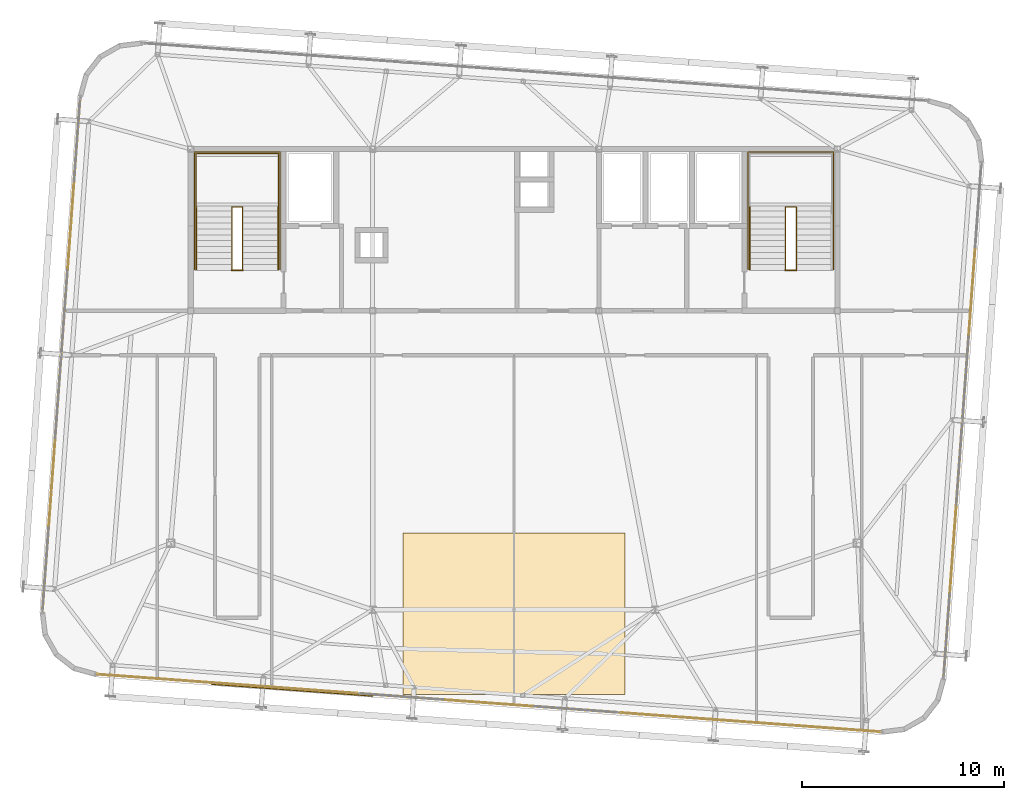
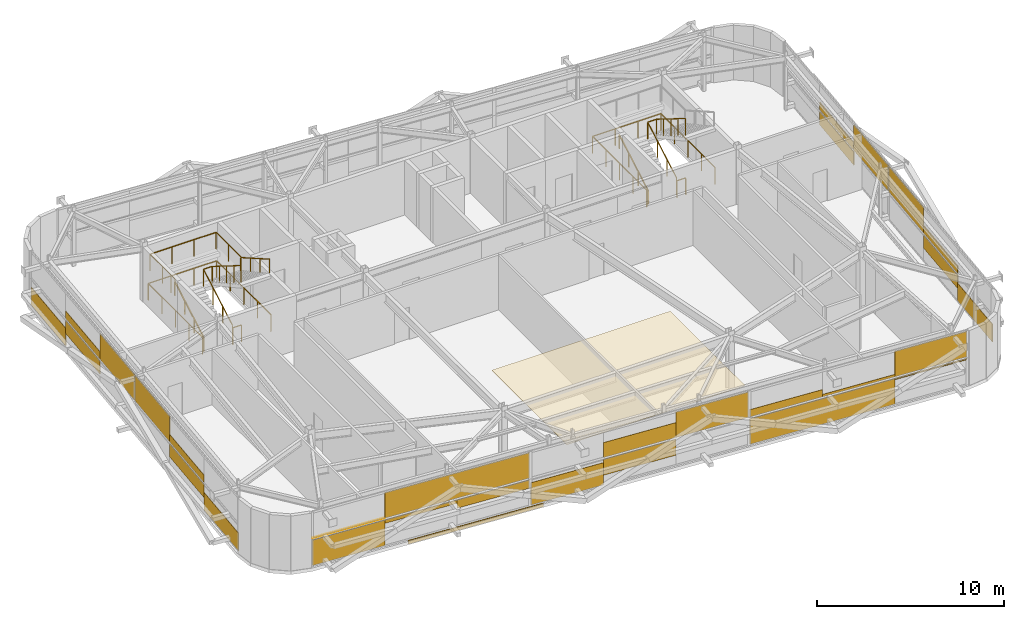
# One storey, part 34 of 35: 31 coverings, 10 railings.
"""IFC4 building model written with IfcOpenShell, lengths in metres."""

import ifcopenshell
import ifcopenshell.guid

model = None  # the IFC model being written
_history = None  # IfcOwnerHistory: only IFC2X3 demands one
_inside = {}  # id of a spatial element -> (the spatial element, [elements in it])
_under = {}  # id of a project, library or spatial element -> (it, [spatial elements below it])
_declared = {}  # id of a project -> (the project, [libraries it declares])
_typed = {}  # id of a type object -> (the type object, [elements of that type])
_made_of = {}  # id of a material, layer set ... -> (it, [elements and type objects made of it])


def new_model(schema):
    """Start an empty IFC model of exactly this schema.

    Asked for "IFC4X3", IfcOpenShell would pick the latest addendum, in which some entities
    have other attributes; the version numbers below select the first issue.
    IFC2X3 requires an IfcOwnerHistory on every rooted entity: one is made here for all.
    """
    global model, _history
    if schema == "IFC4X3":
        model = ifcopenshell.file(schema_version=(4, 3, 0, 0))
    else:
        model = ifcopenshell.file(schema=schema)
    _inside.clear()
    _under.clear()
    _declared.clear()
    _typed.clear()
    _made_of.clear()
    _history = None
    if model.schema == "IFC2X3":
        org = make("IfcOrganization", Name="unknown")
        user = make(
            "IfcPersonAndOrganization",
            ThePerson=make("IfcPerson", FamilyName="unknown"),
            TheOrganization=org,
        )
        app = make(
            "IfcApplication",
            ApplicationDeveloper=org,
            Version="unknown",
            ApplicationFullName="unknown",
            ApplicationIdentifier="unknown",
        )
        _history = make(
            "IfcOwnerHistory",
            OwningUser=user,
            OwningApplication=app,
            ChangeAction="ADDED",
            CreationDate=0,
        )
    return model


def make(cls, **values):
    """One entity of the class cls with the attributes given. An attribute that is None is left unset."""
    return model.create_entity(
        cls, **{name: value for name, value in values.items() if value is not None}
    )


def rooted(cls, **values):
    """An entity with a GlobalId (a new one), such as an element, a storey or a relation."""
    return make(cls, GlobalId=ifcopenshell.guid.new(), OwnerHistory=_history, **values)


def si_unit(unit_type, name, prefix=None):
    """IfcSIUnit, for example si_unit("LENGTHUNIT", "METRE", prefix="MILLI")."""
    return make("IfcSIUnit", UnitType=unit_type, Prefix=prefix, Name=name)


def assignment(units):
    """IfcUnitAssignment: the units of a project."""
    return None if units is None else make("IfcUnitAssignment", Units=units)


def point(xyz):
    """IfcCartesianPoint."""
    return None if xyz is None else make("IfcCartesianPoint", Coordinates=xyz)


def direction(xyz):
    """IfcDirection."""
    return None if xyz is None else make("IfcDirection", DirectionRatios=xyz)


def frame(location, z_axis=None, x_axis=None):
    """IfcAxis2Placement3D, a coordinate frame: its origin and axes. An axis left out is left unset."""
    return make(
        "IfcAxis2Placement3D",
        Location=point(location),
        Axis=direction(z_axis),
        RefDirection=direction(x_axis),
    )


def frame_2d(location, x_axis=None):
    """IfcAxis2Placement2D, a coordinate frame in the plane: its origin and x axis."""
    return make(
        "IfcAxis2Placement2D", Location=point(location), RefDirection=direction(x_axis)
    )


def origin():
    """The frame at (0, 0, 0) with its axes left unset."""
    return frame((0.0, 0.0, 0.0))


def origin_2d():
    """The frame at (0, 0) in the plane with its x axis left unset."""
    return frame_2d((0.0, 0.0))


def place(relative_to, where):
    """IfcLocalPlacement: puts the frame where relative to a parent placement (None: the world)."""
    return make(
        "IfcLocalPlacement", PlacementRelTo=relative_to, RelativePlacement=where
    )


def context(
    kind, dimensions, precision=None, world=None, true_north=None, identifier=None
):
    """IfcGeometricRepresentationContext, for example the 3D "Model" context."""
    return make(
        "IfcGeometricRepresentationContext",
        ContextIdentifier=identifier,
        ContextType=kind,
        CoordinateSpaceDimension=dimensions,
        Precision=precision,
        WorldCoordinateSystem=world,
        TrueNorth=true_north,
    )


def subcontext(parent, identifier, kind, view, scale=None):
    """IfcGeometricRepresentationSubContext, for example "Body" below "Model"."""
    return make(
        "IfcGeometricRepresentationSubContext",
        ContextIdentifier=identifier,
        ContextType=kind,
        ParentContext=parent,
        TargetScale=scale,
        TargetView=view,
    )


def project(units=None, contexts=None):
    """IfcProject with its units and contexts."""
    return rooted(
        "IfcProject",
        Name="project",
        RepresentationContexts=contexts,
        UnitsInContext=assignment(units),
    )


def spatial(cls, under=None, at=None, **own):
    """A site, building, storey or space (cls), placed at a placement, below another one or the project."""
    s = rooted(cls, ObjectPlacement=at, **own)
    if under is not None:
        _under.setdefault(under.id(), (under, []))[1].append(s)
    return s


def profile(cls, at=None, kind="AREA", **sizes):
    """A parametric profile (cls). Its sizes go by their IFC names, for example OverallWidth=200.0."""
    return make(cls, ProfileType=kind, Position=at, **sizes)


def rectangle(**sizes):
    """IfcRectangleProfileDef."""
    return profile("IfcRectangleProfileDef", **sizes)


def extrude(swept, where, along, depth):
    """IfcExtrudedAreaSolid: the profile swept, set in the frame where, extruded along a direction by depth."""
    return make(
        "IfcExtrudedAreaSolid",
        SweptArea=swept,
        Position=where,
        ExtrudedDirection=direction(along),
        Depth=depth,
    )


def shape(context_of_items, identifier, shape_type, items):
    """IfcShapeRepresentation: the items that make up one representation, for example the "Body"."""
    return make(
        "IfcShapeRepresentation",
        ContextOfItems=context_of_items,
        RepresentationIdentifier=identifier,
        RepresentationType=shape_type,
        Items=items,
    )


def source(mapping_origin, context_of_items, identifier, shape_type, items):
    """IfcRepresentationMap: a shape defined once, which mapped items show again and again."""
    return make(
        "IfcRepresentationMap",
        MappingOrigin=mapping_origin,
        MappedRepresentation=shape(context_of_items, identifier, shape_type, items),
    )


def transform(
    local_origin,
    x_axis=None,
    y_axis=None,
    z_axis=None,
    scale=None,
    scale2=None,
    scale3=None,
    uniform=True,
):
    """IfcCartesianTransformationOperator3D, or its non-uniform kind. x_axis, y_axis, z_axis: its Axis1, 2, 3."""
    if uniform:
        return make(
            "IfcCartesianTransformationOperator3D",
            Axis1=direction(x_axis),
            Axis2=direction(y_axis),
            LocalOrigin=point(local_origin),
            Scale=scale,
            Axis3=direction(z_axis),
        )
    return make(
        "IfcCartesianTransformationOperator3DnonUniform",
        Axis1=direction(x_axis),
        Axis2=direction(y_axis),
        LocalOrigin=point(local_origin),
        Scale=scale,
        Axis3=direction(z_axis),
        Scale2=scale2,
        Scale3=scale3,
    )


def mapped(mapping_source, mapping_target):
    """IfcMappedItem: shows the shape of a source again, moved by a transform."""
    return make(
        "IfcMappedItem", MappingSource=mapping_source, MappingTarget=mapping_target
    )


def material(Name=None, Category=None):
    """IfcMaterial."""
    return make("IfcMaterial", Name=Name, Category=Category)


def layer(
    of_material, thickness, ventilated=None, Name=None, Category=None, Priority=None
):
    """IfcMaterialLayer: one layer of a wall or slab, of a material (None: an air gap)."""
    return make(
        "IfcMaterialLayer",
        Material=of_material,
        LayerThickness=thickness,
        IsVentilated=ventilated,
        Name=Name,
        Category=Category,
        Priority=Priority,
    )


def layer_set(layers, Name=None):
    """IfcMaterialLayerSet."""
    return make("IfcMaterialLayerSet", MaterialLayers=layers, LayerSetName=Name)


def made_of(thing, what):
    """Note that an element or type object is made of a material, layer set ...; save() writes the relation."""
    if what is not None:
        _made_of.setdefault(what.id(), (what, []))[1].append(thing)
    return thing


def type_object(cls, material=None, **own):
    """A type object (cls), such as IfcWallType, which elements share."""
    return made_of(rooted(cls, **own), material)


def element(
    cls,
    number,
    at=None,
    inside=None,
    cuts=None,
    type_object=None,
    material=None,
    context=None,
    identifier="Body",
    shape_type=None,
    held_by="IfcProductDefinitionShape",
    body=None,
    shapes=None,
    **own,
):
    """One element of the class cls, such as IfcWall. Its Tag is "e" and its number.

    at: its placement. inside: the storey or other place that contains it. cuts: it is an
    opening in that element (IfcRelVoidsElement). A single representation is given by context,
    identifier, shape_type and body (its items); several are given by shapes. held_by: the class
    of the entity that holds the representations. save() writes the other relations.
    """
    e = rooted(cls, Tag="e%d" % number, ObjectPlacement=at, **own)
    if body is not None:
        shapes = [shape(context, identifier, shape_type, body)]
    if shapes is not None:
        e.Representation = make(held_by, Representations=shapes)
    if inside is not None:
        _inside.setdefault(inside.id(), (inside, []))[1].append(e)
    if cuts is not None:
        rooted(
            "IfcRelVoidsElement", RelatingBuildingElement=cuts, RelatedOpeningElement=e
        )
    if type_object is not None:
        _typed.setdefault(type_object.id(), (type_object, []))[1].append(e)
    return made_of(e, material)


def aggregate(whole, parts):
    """IfcRelAggregates: a whole, such as a stair, and the parts it consists of."""
    return rooted("IfcRelAggregates", RelatingObject=whole, RelatedObjects=parts)


def save(model, path):
    """Write the relations noted so far, then the file.

    IfcRelAggregates (storeys below a building ...), IfcRelContainedInSpatialStructure (elements
    in a storey), IfcRelDefinesByType, IfcRelAssociatesMaterial and IfcRelDeclares: one each for
    every whole, place, type object, material and project.
    """
    for whole, parts in _under.values():
        aggregate(whole, parts)
    for where, things in _inside.values():
        rooted(
            "IfcRelContainedInSpatialStructure",
            RelatedElements=things,
            RelatingStructure=where,
        )
    for kind, things in _typed.values():
        rooted("IfcRelDefinesByType", RelatedObjects=things, RelatingType=kind)
    for what, things in _made_of.values():
        rooted("IfcRelAssociatesMaterial", RelatedObjects=things, RelatingMaterial=what)
    for by, libraries in _declared.values():
        rooted("IfcRelDeclares", RelatingContext=by, RelatedDefinitions=libraries)
    model.write(path)


model = new_model("IFC4")

# Units and contexts
model_context = context("Model", 3, precision=1e-05, world=origin(), true_north=direction((0.0, 1.0)))
body_context = subcontext(model_context, "Body", "Model", "MODEL_VIEW")
ifc_project = project(units=[si_unit("LENGTHUNIT", "METRE"), si_unit("AREAUNIT", "SQUARE_METRE"), si_unit("VOLUMEUNIT", "CUBIC_METRE"), si_unit("PLANEANGLEUNIT", "RADIAN"), si_unit("MASSUNIT", "GRAM", prefix="KILO")], contexts=[model_context])

# Site, building, storey
site_placement = place(None, origin())
site = spatial("IfcSite", under=ifc_project, at=site_placement, CompositionType="ELEMENT")
building_placement = place(site_placement, origin())
building = spatial("IfcBuilding", under=site, at=building_placement, Name="Taldren Reach Tower", CompositionType="ELEMENT")
storey_placement = place(building_placement, frame((0.0, 0.0, 249.199951171875)))
storey = spatial("IfcBuildingStorey", under=building, at=storey_placement, Name="L76", CompositionType="ELEMENT", Elevation=249.199951171875)

# Railings
ifc_material_1 = material(Name="Steel Gr 350 (C350L0)", Category="steel")
ifc_layer_1 = layer(ifc_material_1, 0.050048828125)
ifc_layer_set_1 = layer_set([ifc_layer_1], Name="Steel Gr 350 (C350L0)")
railing_type_1 = type_object("IfcRailingType", Name="RL-STAIR-GR", PredefinedType="GUARDRAIL", material=ifc_layer_set_1)
railing_1_placement = place(storey_placement, frame((19.260009765625, 29.135009765625, 1.925048828125)))
element("IfcRailing", 1, at=railing_1_placement, inside=storey, type_object=railing_type_1, Name="Stair half-landing perimeter guard ST1-L76", PredefinedType="GUARDRAIL", context=body_context, shape_type="SweptSolid", body=[
    extrude(rectangle(XDim=0.047852, YDim=0.047852, at=origin_2d()), frame((0.0, 0.0, 1.09619140625), z_axis=(0.0, 1.0, 0.0), x_axis=(-1.0, 0.0, 0.0)), (0.0, 0.0, 1.0), 2.64501953125),
    extrude(rectangle(XDim=0.047852, YDim=0.047852, at=origin_2d()), frame((0.0, 2.64501953125, 1.09619140625), z_axis=(1.0, 0.0, 0.0), x_axis=(0.0, 1.0, 0.0)), (0.0, 0.0, 1.0), 4.080078125),
    extrude(rectangle(XDim=0.047852, YDim=0.047852, at=origin_2d()), frame((4.080078125, 2.64501953125, 1.09619140625), z_axis=(0.0, -1.0, 0.0), x_axis=(1.0, 0.0, 0.0)), (0.0, 0.0, 1.0), 2.64501953125),
    extrude(rectangle(XDim=0.041992, YDim=0.041992, at=origin_2d()), origin(), (0.0, 0.0, 1.0), 1.072021484375),
    extrude(rectangle(XDim=0.041992, YDim=0.041992, at=origin_2d()), frame((0.0, 1.322509765625, 0.0)), (0.0, 0.0, 1.0), 1.072021484375),
    extrude(rectangle(XDim=0.041992, YDim=0.041992, at=origin_2d()), frame((0.0, 2.64501953125, 0.0)), (0.0, 0.0, 1.0), 1.072021484375),
    extrude(rectangle(XDim=0.041992, YDim=0.041992, at=origin_2d()), frame((1.360107421875, 2.64501953125, 0.0)), (0.0, 0.0, 1.0), 1.072021484375),
    extrude(rectangle(XDim=0.041992, YDim=0.041992, at=origin_2d()), frame((2.719970703125, 2.64501953125, 0.0)), (0.0, 0.0, 1.0), 1.072021484375),
    extrude(rectangle(XDim=0.041992, YDim=0.041992, at=origin_2d()), frame((4.080078125, 2.64501953125, 0.0)), (0.0, 0.0, 1.0), 1.072021484375),
    extrude(rectangle(XDim=0.041992, YDim=0.041992, at=origin_2d()), frame((4.080078125, 1.322509765625, 0.0)), (0.0, 0.0, 1.0), 1.072021484375),
    extrude(rectangle(XDim=0.041992, YDim=0.041992, at=origin_2d()), frame((4.080078125, 0.0, 0.0)), (0.0, 0.0, 1.0), 1.072021484375),
])
railing_2_placement = place(storey_placement, frame((21.030029296875, 26.050048828125, 0.160400390625)))
element("IfcRailing", 2, at=railing_2_placement, inside=storey, type_object=railing_type_1, Name="Stairwell inner guard ST1-L76", PredefinedType="GUARDRAIL", context=body_context, shape_type="SweptSolid", body=[
    extrude(rectangle(XDim=0.047852, YDim=0.047852, at=origin_2d()), frame((0.0, 0.0, 1.09619140625), z_axis=(0.0, 0.868023234622, 0.496523578652), x_axis=(-1.0, 0.0, 0.0)), (0.0, 0.0, 1.0), 3.553955078125),
    extrude(rectangle(XDim=0.047852, YDim=0.047852, at=origin_2d()), frame((0.0, 3.0849609375, 2.86083984375), z_axis=(1.0, 0.0, 0.0), x_axis=(0.0, 1.0, 0.0)), (0.0, 0.0, 1.0), 0.5400390625),
    extrude(rectangle(XDim=0.047852, YDim=0.047852, at=origin_2d()), frame((0.5400390625, 3.0849609375, 2.86083984375), z_axis=(0.0, -0.848375277705, 0.529395304266), x_axis=(1.0, 0.0, 0.0)), (0.0, 0.0, 1.0), 3.63623046875),
    extrude(rectangle(XDim=0.041992, YDim=0.041992, at=origin_2d()), origin(), (0.0, 0.0, 1.0), 1.072021484375),
    extrude(rectangle(XDim=0.041992, YDim=0.041992, at=origin_2d()), frame((0.0, 1.0283203125, 0.588134765625)), (0.0, 0.0, 1.0), 1.072021484375),
    extrude(rectangle(XDim=0.041992, YDim=0.041992, at=origin_2d()), frame((0.0, 2.056640625, 1.176513671875)), (0.0, 0.0, 1.0), 1.072021484375),
    extrude(rectangle(XDim=0.041992, YDim=0.041992, at=origin_2d()), frame((0.0, 3.0849609375, 1.7646484375)), (0.0, 0.0, 1.0), 1.072021484375),
    extrude(rectangle(XDim=0.041992, YDim=0.041992, at=origin_2d()), frame((0.5400390625, 3.0849609375, 1.7646484375)), (0.0, 0.0, 1.0), 1.072021484375),
    extrude(rectangle(XDim=0.041992, YDim=0.041992, at=origin_2d()), frame((0.5400390625, 2.313720703125, 2.245849609375)), (0.0, 0.0, 1.0), 1.072021484375),
    extrude(rectangle(XDim=0.041992, YDim=0.041992, at=origin_2d()), frame((0.5400390625, 1.54248046875, 2.72705078125)), (0.0, 0.0, 1.0), 1.072021484375),
    extrude(rectangle(XDim=0.041992, YDim=0.041992, at=origin_2d()), frame((0.5400390625, 0.771240234375, 3.20849609375)), (0.0, 0.0, 1.0), 1.072021484375),
    extrude(rectangle(XDim=0.041992, YDim=0.041992, at=origin_2d()), frame((0.5400390625, 0.0, 3.689697265625)), (0.0, 0.0, 1.0), 1.072021484375),
])
railing_3_placement = place(storey_placement, frame((21.030029296875, 26.010009765625, 0.0)))
element("IfcRailing", 3, at=railing_3_placement, inside=storey, type_object=railing_type_1, Name="Stairwell landing slot guard ST1-L76", PredefinedType="GUARDRAIL", context=body_context, shape_type="SweptSolid", body=[
    extrude(rectangle(XDim=0.047852, YDim=0.047852, at=origin_2d()), frame((0.0, 0.0, 1.09619140625), z_axis=(1.0, 0.0, 0.0), x_axis=(0.0, 1.0, 0.0)), (0.0, 0.0, 1.0), 0.5400390625),
    extrude(rectangle(XDim=0.041992, YDim=0.041992, at=origin_2d()), origin(), (0.0, 0.0, 1.0), 1.072021484375),
    extrude(rectangle(XDim=0.041992, YDim=0.041992, at=origin_2d()), frame((0.5400390625, 0.0, 0.0)), (0.0, 0.0, 1.0), 1.072021484375),
])
railing_4_placement = place(storey_placement, frame((19.18994140625, 26.050048828125, 0.0)))
element("IfcRailing", 4, at=railing_4_placement, inside=storey, type_object=railing_type_1, Name="Stairwell floor opening guard ST1-L76", PredefinedType="GUARDRAIL", context=body_context, shape_type="SweptSolid", body=[
    extrude(rectangle(XDim=0.047852, YDim=0.047852, at=origin_2d()), frame((0.0, 0.0, 1.09619140625), z_axis=(0.0, 1.0, 0.0), x_axis=(-1.0, 0.0, 0.0)), (0.0, 0.0, 1.0), 5.800048828125),
    extrude(rectangle(XDim=0.047852, YDim=0.047852, at=origin_2d()), frame((0.0, 5.800048828125, 1.09619140625), z_axis=(1.0, 0.0, 0.0), x_axis=(0.0, 1.0, 0.0)), (0.0, 0.0, 1.0), 4.219970703125),
    extrude(rectangle(XDim=0.047852, YDim=0.047852, at=origin_2d()), frame((4.219970703125, 5.800048828125, 1.09619140625), z_axis=(0.0, -1.0, 0.0), x_axis=(1.0, 0.0, 0.0)), (0.0, 0.0, 1.0), 5.800048828125),
    extrude(rectangle(XDim=0.041992, YDim=0.041992, at=origin_2d()), origin(), (0.0, 0.0, 1.0), 1.072021484375),
    extrude(rectangle(XDim=0.041992, YDim=0.041992, at=origin_2d()), frame((0.0, 1.449951171875, 0.0)), (0.0, 0.0, 1.0), 1.072021484375),
    extrude(rectangle(XDim=0.041992, YDim=0.041992, at=origin_2d()), frame((0.0, 2.89990234375, 0.0)), (0.0, 0.0, 1.0), 1.072021484375),
    extrude(rectangle(XDim=0.041992, YDim=0.041992, at=origin_2d()), frame((0.0, 4.35009765625, 0.0)), (0.0, 0.0, 1.0), 1.072021484375),
    extrude(rectangle(XDim=0.041992, YDim=0.041992, at=origin_2d()), frame((0.0, 5.800048828125, 0.0)), (0.0, 0.0, 1.0), 1.072021484375),
    extrude(rectangle(XDim=0.041992, YDim=0.041992, at=origin_2d()), frame((1.40673828125, 5.800048828125, 0.0)), (0.0, 0.0, 1.0), 1.072021484375),
    extrude(rectangle(XDim=0.041992, YDim=0.041992, at=origin_2d()), frame((2.813232421875, 5.800048828125, 0.0)), (0.0, 0.0, 1.0), 1.072021484375),
    extrude(rectangle(XDim=0.041992, YDim=0.041992, at=origin_2d()), frame((4.219970703125, 5.800048828125, 0.0)), (0.0, 0.0, 1.0), 1.072021484375),
    extrude(rectangle(XDim=0.041992, YDim=0.041992, at=origin_2d()), frame((4.219970703125, 4.35009765625, 0.0)), (0.0, 0.0, 1.0), 1.072021484375),
    extrude(rectangle(XDim=0.041992, YDim=0.041992, at=origin_2d()), frame((4.219970703125, 2.89990234375, 0.0)), (0.0, 0.0, 1.0), 1.072021484375),
    extrude(rectangle(XDim=0.041992, YDim=0.041992, at=origin_2d()), frame((4.219970703125, 1.449951171875, 0.0)), (0.0, 0.0, 1.0), 1.072021484375),
    extrude(rectangle(XDim=0.041992, YDim=0.041992, at=origin_2d()), frame((4.219970703125, 0.0, 0.0)), (0.0, 0.0, 1.0), 1.072021484375),
])
railing_5_placement = place(storey_placement, frame((48.429931640625, 26.050048828125, 0.160400390625)))
element("IfcRailing", 5, at=railing_5_placement, inside=storey, type_object=railing_type_1, Name="Stairwell inner guard ST2-L76", PredefinedType="GUARDRAIL", context=body_context, shape_type="SweptSolid", body=[
    extrude(rectangle(XDim=0.047852, YDim=0.047852, at=origin_2d()), frame((0.0, 0.0, 1.09619140625), z_axis=(0.0, 0.868023234622, 0.496523578652), x_axis=(-1.0, 0.0, 0.0)), (0.0, 0.0, 1.0), 3.553955078125),
    extrude(rectangle(XDim=0.047852, YDim=0.047852, at=origin_2d()), frame((0.0, 3.0849609375, 2.86083984375), z_axis=(1.0, 0.0, 0.0), x_axis=(0.0, 1.0, 0.0)), (0.0, 0.0, 1.0), 0.5400390625),
    extrude(rectangle(XDim=0.047852, YDim=0.047852, at=origin_2d()), frame((0.5400390625, 3.0849609375, 2.86083984375), z_axis=(0.0, -0.848375277705, 0.529395304266), x_axis=(1.0, 0.0, 0.0)), (0.0, 0.0, 1.0), 3.63623046875),
    extrude(rectangle(XDim=0.041992, YDim=0.041992, at=origin_2d()), origin(), (0.0, 0.0, 1.0), 1.072021484375),
    extrude(rectangle(XDim=0.041992, YDim=0.041992, at=origin_2d()), frame((0.0, 1.0283203125, 0.588134765625)), (0.0, 0.0, 1.0), 1.072021484375),
    extrude(rectangle(XDim=0.041992, YDim=0.041992, at=origin_2d()), frame((0.0, 2.056640625, 1.176513671875)), (0.0, 0.0, 1.0), 1.072021484375),
    extrude(rectangle(XDim=0.041992, YDim=0.041992, at=origin_2d()), frame((0.0, 3.0849609375, 1.7646484375)), (0.0, 0.0, 1.0), 1.072021484375),
    extrude(rectangle(XDim=0.041992, YDim=0.041992, at=origin_2d()), frame((0.5400390625, 3.0849609375, 1.7646484375)), (0.0, 0.0, 1.0), 1.072021484375),
    extrude(rectangle(XDim=0.041992, YDim=0.041992, at=origin_2d()), frame((0.5400390625, 2.313720703125, 2.245849609375)), (0.0, 0.0, 1.0), 1.072021484375),
    extrude(rectangle(XDim=0.041992, YDim=0.041992, at=origin_2d()), frame((0.5400390625, 1.54248046875, 2.72705078125)), (0.0, 0.0, 1.0), 1.072021484375),
    extrude(rectangle(XDim=0.041992, YDim=0.041992, at=origin_2d()), frame((0.5400390625, 0.771240234375, 3.20849609375)), (0.0, 0.0, 1.0), 1.072021484375),
    extrude(rectangle(XDim=0.041992, YDim=0.041992, at=origin_2d()), frame((0.5400390625, 0.0, 3.689697265625)), (0.0, 0.0, 1.0), 1.072021484375),
])
railing_6_placement = place(storey_placement, frame((48.429931640625, 26.010009765625, 0.0)))
element("IfcRailing", 6, at=railing_6_placement, inside=storey, type_object=railing_type_1, Name="Stairwell landing slot guard ST2-L76", PredefinedType="GUARDRAIL", context=body_context, shape_type="SweptSolid", body=[
    extrude(rectangle(XDim=0.047852, YDim=0.047852, at=origin_2d()), frame((0.0, 0.0, 1.09619140625), z_axis=(1.0, 0.0, 0.0), x_axis=(0.0, 1.0, 0.0)), (0.0, 0.0, 1.0), 0.5400390625),
    extrude(rectangle(XDim=0.041992, YDim=0.041992, at=origin_2d()), origin(), (0.0, 0.0, 1.0), 1.072021484375),
    extrude(rectangle(XDim=0.041992, YDim=0.041992, at=origin_2d()), frame((0.5400390625, 0.0, 0.0)), (0.0, 0.0, 1.0), 1.072021484375),
])
railing_7_placement = place(storey_placement, frame((46.590087890625, 26.050048828125, 0.0)))
element("IfcRailing", 7, at=railing_7_placement, inside=storey, type_object=railing_type_1, Name="Stairwell floor opening guard ST2-L76", PredefinedType="GUARDRAIL", context=body_context, shape_type="SweptSolid", body=[
    extrude(rectangle(XDim=0.047852, YDim=0.047852, at=origin_2d()), frame((0.0, 0.0, 1.09619140625), z_axis=(0.0, 1.0, 0.0), x_axis=(-1.0, 0.0, 0.0)), (0.0, 0.0, 1.0), 5.800048828125),
    extrude(rectangle(XDim=0.047852, YDim=0.047852, at=origin_2d()), frame((0.0, 5.800048828125, 1.09619140625), z_axis=(1.0, 0.0, 0.0), x_axis=(0.0, 1.0, 0.0)), (0.0, 0.0, 1.0), 4.219970703125),
    extrude(rectangle(XDim=0.047852, YDim=0.047852, at=origin_2d()), frame((4.219970703125, 5.800048828125, 1.09619140625), z_axis=(0.0, -1.0, 0.0), x_axis=(1.0, 0.0, 0.0)), (0.0, 0.0, 1.0), 5.800048828125),
    extrude(rectangle(XDim=0.041992, YDim=0.041992, at=origin_2d()), origin(), (0.0, 0.0, 1.0), 1.072021484375),
    extrude(rectangle(XDim=0.041992, YDim=0.041992, at=origin_2d()), frame((0.0, 1.449951171875, 0.0)), (0.0, 0.0, 1.0), 1.072021484375),
    extrude(rectangle(XDim=0.041992, YDim=0.041992, at=origin_2d()), frame((0.0, 2.89990234375, 0.0)), (0.0, 0.0, 1.0), 1.072021484375),
    extrude(rectangle(XDim=0.041992, YDim=0.041992, at=origin_2d()), frame((0.0, 4.35009765625, 0.0)), (0.0, 0.0, 1.0), 1.072021484375),
    extrude(rectangle(XDim=0.041992, YDim=0.041992, at=origin_2d()), frame((0.0, 5.800048828125, 0.0)), (0.0, 0.0, 1.0), 1.072021484375),
    extrude(rectangle(XDim=0.041992, YDim=0.041992, at=origin_2d()), frame((1.40673828125, 5.800048828125, 0.0)), (0.0, 0.0, 1.0), 1.072021484375),
    extrude(rectangle(XDim=0.041992, YDim=0.041992, at=origin_2d()), frame((2.813232421875, 5.800048828125, 0.0)), (0.0, 0.0, 1.0), 1.072021484375),
    extrude(rectangle(XDim=0.041992, YDim=0.041992, at=origin_2d()), frame((4.219970703125, 5.800048828125, 0.0)), (0.0, 0.0, 1.0), 1.072021484375),
    extrude(rectangle(XDim=0.041992, YDim=0.041992, at=origin_2d()), frame((4.219970703125, 4.35009765625, 0.0)), (0.0, 0.0, 1.0), 1.072021484375),
    extrude(rectangle(XDim=0.041992, YDim=0.041992, at=origin_2d()), frame((4.219970703125, 2.89990234375, 0.0)), (0.0, 0.0, 1.0), 1.072021484375),
    extrude(rectangle(XDim=0.041992, YDim=0.041992, at=origin_2d()), frame((4.219970703125, 1.449951171875, 0.0)), (0.0, 0.0, 1.0), 1.072021484375),
    extrude(rectangle(XDim=0.041992, YDim=0.041992, at=origin_2d()), frame((4.219970703125, 0.0, 0.0)), (0.0, 0.0, 1.0), 1.072021484375),
])
ifc_material_2 = material(Name="Stainless Steel Gr 316", Category="steel")
ifc_layer_2 = layer(ifc_material_2, 0.048095703125)
ifc_layer_set_2 = layer_set([ifc_layer_2], Name="Stainless Steel Gr 316")
railing_type_2 = type_object("IfcRailingType", Name="RL-STAIR-HR", PredefinedType="HANDRAIL", material=ifc_layer_set_2)
railing_8_placement = place(storey_placement, frame((19.27001953125, 26.050048828125, 0.160400390625)))
element("IfcRailing", 8, at=railing_8_placement, inside=storey, type_object=railing_type_2, Name="Stair flight handrail ST1-L76-1", PredefinedType="HANDRAIL", context=body_context, shape_type="SweptSolid", body=[
    extrude(rectangle(XDim=0.047852, YDim=0.047852, at=origin_2d()), frame((0.0, 0.0, 0.89599609375), z_axis=(0.0, 0.868023234622, 0.496523578652), x_axis=(-1.0, 0.0, 0.0)), (0.0, 0.0, 1.0), 3.553955078125),
    extrude(rectangle(XDim=0.041992, YDim=0.041992, at=origin_2d()), origin(), (0.0, 0.0, 1.0), 0.871826171875),
    extrude(rectangle(XDim=0.041992, YDim=0.041992, at=origin_2d()), frame((0.0, 1.0283203125, 0.588134765625)), (0.0, 0.0, 1.0), 0.871826171875),
    extrude(rectangle(XDim=0.041992, YDim=0.041992, at=origin_2d()), frame((0.0, 2.056640625, 1.176513671875)), (0.0, 0.0, 1.0), 0.871826171875),
    extrude(rectangle(XDim=0.041992, YDim=0.041992, at=origin_2d()), frame((0.0, 3.0849609375, 1.7646484375)), (0.0, 0.0, 1.0), 0.871826171875),
])
railing_9_placement = place(storey_placement, frame((23.330078125, 29.135009765625, 2.08544921875)))
element("IfcRailing", 9, at=railing_9_placement, inside=storey, type_object=railing_type_2, Name="Stair flight handrail ST1-L76-2", PredefinedType="HANDRAIL", context=body_context, shape_type="SweptSolid", body=[
    extrude(rectangle(XDim=0.047852, YDim=0.047852, at=origin_2d()), frame((0.0, 0.0, 0.89599609375), z_axis=(0.0, -0.868023234622, 0.496523578652), x_axis=(1.0, 0.0, 0.0)), (0.0, 0.0, 1.0), 3.553955078125),
    extrude(rectangle(XDim=0.041992, YDim=0.041992, at=origin_2d()), origin(), (0.0, 0.0, 1.0), 0.871826171875),
    extrude(rectangle(XDim=0.041992, YDim=0.041992, at=origin_2d()), frame((0.0, -1.0283203125, 0.588134765625)), (0.0, 0.0, 1.0), 0.871826171875),
    extrude(rectangle(XDim=0.041992, YDim=0.041992, at=origin_2d()), frame((0.0, -2.056640625, 1.176513671875)), (0.0, 0.0, 1.0), 0.871826171875),
    extrude(rectangle(XDim=0.041992, YDim=0.041992, at=origin_2d()), frame((0.0, -3.0849609375, 1.7646484375)), (0.0, 0.0, 1.0), 0.871826171875),
])
railing_10_placement = place(storey_placement, frame((46.669921875, 26.050048828125, 0.160400390625)))
element("IfcRailing", 10, at=railing_10_placement, inside=storey, type_object=railing_type_2, Name="Stair flight handrail ST2-L76-1", PredefinedType="HANDRAIL", context=body_context, shape_type="SweptSolid", body=[
    extrude(rectangle(XDim=0.047852, YDim=0.047852, at=origin_2d()), frame((0.0, 0.0, 0.89599609375), z_axis=(0.0, 0.868023234622, 0.496523578652), x_axis=(-1.0, 0.0, 0.0)), (0.0, 0.0, 1.0), 3.553955078125),
    extrude(rectangle(XDim=0.041992, YDim=0.041992, at=origin_2d()), origin(), (0.0, 0.0, 1.0), 0.871826171875),
    extrude(rectangle(XDim=0.041992, YDim=0.041992, at=origin_2d()), frame((0.0, 1.0283203125, 0.588134765625)), (0.0, 0.0, 1.0), 0.871826171875),
    extrude(rectangle(XDim=0.041992, YDim=0.041992, at=origin_2d()), frame((0.0, 2.056640625, 1.176513671875)), (0.0, 0.0, 1.0), 0.871826171875),
    extrude(rectangle(XDim=0.041992, YDim=0.041992, at=origin_2d()), frame((0.0, 3.0849609375, 1.7646484375)), (0.0, 0.0, 1.0), 0.871826171875),
])

# Coverings
ifc_material_3 = material(Name="Pale Champagne Fluoropolymer Aluminium Spandrel Cladding", Category="aluminium")
ifc_layer_3 = layer(ifc_material_3, 0.06005859375)
ifc_layer_set_3 = layer_set([ifc_layer_3], Name="Pale Champagne Fluoropolymer Aluminium Spandrel Cladding")
covering_type_1 = type_object("IfcCoveringType", Name="CV-CLAD-060", PredefinedType="CLADDING", material=ifc_layer_set_3)
shared_shape_1 = source(origin(), body_context, "Body", "SweptSolid", [
    extrude(rectangle(XDim=8.0, YDim=0.06005859375, at=origin_2d()), origin(), (0.0, 0.0, 1.0), 0.219970703125),
])
covering_1_placement = place(storey_placement, frame((24.02490234375, 5.236328125, -0.2197265625), z_axis=(0.0, 0.0, 1.0), x_axis=(0.997314477224, -0.073238197128, 0.0)))
element("IfcCovering", 11, at=covering_1_placement, inside=storey, type_object=covering_type_1, Name="Pale-metal architectural fascia band L76", PredefinedType="CLADDING", context=body_context, shape_type="MappedRepresentation", body=[
    mapped(shared_shape_1, transform((0.0, 0.0, 0.0), scale=1.0)),
])
ifc_material_4 = material(Name="Perforated Acoustic Mineral-Fibre Ceiling Tile")
ifc_layer_4 = layer(ifc_material_4, 0.02490234375)
ifc_layer_set_4 = layer_set([ifc_layer_4], Name="Perforated Acoustic Mineral-Fibre Ceiling Tile")
covering_type_2 = type_object("IfcCoveringType", Name="CV-CEIL-025", PredefinedType="CEILING", material=ifc_layer_set_4)
shared_shape_2 = source(origin(), body_context, "Body", "SweptSolid", [
    extrude(rectangle(XDim=11.0, YDim=8.0, at=origin_2d()), origin(), (0.0, 0.0, 1.0), 0.02490234375),
])
covering_2_placement = place(storey_placement, frame((35.0, 9.0, 3.237548828125), z_axis=(0.0, 0.0, 1.0), x_axis=(1.0, 0.0, 0.0)))
element("IfcCovering", 12, at=covering_2_placement, inside=storey, type_object=covering_type_2, Name="Suspended acoustic ceiling L76-12", PredefinedType="CEILING", context=body_context, shape_type="MappedRepresentation", body=[
    mapped(shared_shape_2, transform((0.0, 0.0, 0.0), scale=1.0)),
])
ifc_layer_5 = layer(ifc_material_3, 0.0439453125)
ifc_layer_set_5 = layer_set([ifc_layer_5], Name="Pale Champagne Fluoropolymer Aluminium Spandrel Cladding")
covering_type_3 = type_object("IfcCoveringType", Name="CV-CLAD-044", PredefinedType="CLADDING", material=ifc_layer_set_5)
shared_shape_3 = source(origin(), body_context, "Body", "SweptSolid", [
    extrude(rectangle(XDim=4.2958984375, YDim=0.0439453125, at=origin_2d()), origin(), (0.0, 0.0, 1.0), 1.6650390625),
])
for number, where, z_axis, x_axis, name in (
    (13, (16.5224609375, 5.847412109375, 0.06005859375), (0.0, 0.0, 1.0), (0.997314476006, -0.073238213716, 0.0), "Diagrid closure cladding strip CW-6 panel 1.1 1"),
    (14, (50.98388671875, 3.316650390625, 1.844970703125), (0.0, 0.0, 1.0), (0.997314476006, -0.073238213716, 0.0), "Diagrid closure cladding strip CW-6 panel 3.1 3"),
):
    element("IfcCovering", number, at=place(storey_placement, frame(where, z_axis=z_axis, x_axis=x_axis)), inside=storey, type_object=covering_type_3, Name=name, PredefinedType="CLADDING", context=body_context, shape_type="MappedRepresentation", body=[
        mapped(shared_shape_3, transform((0.0, 0.0, 0.0), scale=1.0)),
    ])
shared_shape_4 = source(origin(), body_context, "Body", "SweptSolid", [
    extrude(rectangle(XDim=4.2958984375, YDim=0.0439453125, at=origin_2d()), origin(), (0.0, 0.0, 1.0), 0.219970703125),
])
covering_3_placement = place(storey_placement, frame((20.806640625, 5.53271484375, 1.5048828125), z_axis=(0.0, 0.0, 1.0), x_axis=(0.997314476006, -0.073238213716, 0.0)))
element("IfcCovering", 15, at=covering_3_placement, inside=storey, type_object=covering_type_3, Name="Diagrid closure cladding strip CW-6 panel 1.1 2", PredefinedType="CLADDING", context=body_context, shape_type="MappedRepresentation", body=[
    mapped(shared_shape_4, transform((0.0, 0.0, 0.0), scale=1.0)),
])
shared_shape_5 = source(origin(), body_context, "Body", "SweptSolid", [
    extrude(rectangle(XDim=4.2958984375, YDim=0.0439453125, at=origin_2d()), origin(), (0.0, 0.0, 1.0), 0.53759765625),
])
covering_4_placement = place(storey_placement, frame((25.091064453125, 5.21826171875, 1.1875), z_axis=(0.0, 0.0, 1.0), x_axis=(0.997314476006, -0.073238213716, 0.0)))
element("IfcCovering", 16, at=covering_4_placement, inside=storey, type_object=covering_type_3, Name="Diagrid closure cladding strip CW-6 panel 1.1 3", PredefinedType="CLADDING", context=body_context, shape_type="MappedRepresentation", body=[
    mapped(shared_shape_5, transform((0.0, 0.0, 0.0), scale=1.0)),
])
shared_shape_6 = source(origin(), body_context, "Body", "SweptSolid", [
    extrude(rectangle(XDim=4.308349609375, YDim=0.0439453125, at=origin_2d()), origin(), (0.0, 0.0, 1.0), 1.4580078125),
])
covering_5_placement = place(storey_placement, frame((29.456298828125, 4.897705078125, 0.06005859375), z_axis=(0.0, 0.0, 1.0), x_axis=(0.997314476006, -0.073238213716, 0.0)))
element("IfcCovering", 17, at=covering_5_placement, inside=storey, type_object=covering_type_3, Name="Diagrid closure cladding strip CW-6 panel 2.1 1", PredefinedType="CLADDING", context=body_context, shape_type="MappedRepresentation", body=[
    mapped(shared_shape_6, transform((0.0, 0.0, 0.0), scale=1.0)),
])
shared_shape_7 = source(origin(), body_context, "Body", "SweptSolid", [
    extrude(rectangle(XDim=4.308349609375, YDim=0.0439453125, at=origin_2d()), origin(), (0.0, 0.0, 1.0), 1.03466796875),
])
covering_6_placement = place(storey_placement, frame((33.753173828125, 4.58203125, 0.6904296875), z_axis=(0.0, 0.0, 1.0), x_axis=(0.997314476006, -0.073238213716, 0.0)))
element("IfcCovering", 18, at=covering_6_placement, inside=storey, type_object=covering_type_3, Name="Diagrid closure cladding strip CW-6 panel 2.1 2", PredefinedType="CLADDING", context=body_context, shape_type="MappedRepresentation", body=[
    mapped(shared_shape_7, transform((0.0, 0.0, 0.0), scale=1.0)),
])
shared_shape_8 = source(origin(), body_context, "Body", "SweptSolid", [
    extrude(rectangle(XDim=8.591552734375, YDim=0.0439453125, at=origin_2d()), origin(), (0.0, 0.0, 1.0), 1.6650390625),
])
for number, where, z_axis, x_axis, name in (
    (19, (44.557373046875, 3.78857421875, 0.06005859375), (0.0, 0.0, 1.0), (0.997314476006, -0.073238213716, 0.0), "Diagrid closure cladding strip CW-6 panel 3.1 1"),
    (20, (22.94873046875, 5.37548828125, 1.844970703125), (0.0, 0.0, 1.0), (0.997314476006, -0.073238213716, 0.0), "Diagrid closure cladding strip CW-6 panel 1.1 2"),
):
    element("IfcCovering", number, at=place(storey_placement, frame(where, z_axis=z_axis, x_axis=x_axis)), inside=storey, type_object=covering_type_3, Name=name, PredefinedType="CLADDING", context=body_context, shape_type="MappedRepresentation", body=[
        mapped(shared_shape_8, transform((0.0, 0.0, 0.0), scale=1.0)),
    ])
shared_shape_9 = source(origin(), body_context, "Body", "SweptSolid", [
    extrude(rectangle(XDim=4.2958984375, YDim=0.0439453125, at=origin_2d()), origin(), (0.0, 0.0, 1.0), 0.081298828125),
])
covering_7_placement = place(storey_placement, frame((50.98388671875, 3.316650390625, 1.6435546875), z_axis=(0.0, 0.0, 1.0), x_axis=(0.997314476006, -0.073238213716, 0.0)))
element("IfcCovering", 21, at=covering_7_placement, inside=storey, type_object=covering_type_3, Name="Diagrid closure cladding strip CW-6 panel 3.1 2", PredefinedType="CLADDING", context=body_context, shape_type="MappedRepresentation", body=[
    mapped(shared_shape_9, transform((0.0, 0.0, 0.0), scale=1.0)),
])
shared_shape_10 = source(origin(), body_context, "Body", "SweptSolid", [
    extrude(rectangle(XDim=4.2958984375, YDim=0.0439453125, at=origin_2d()), origin(), (0.0, 0.0, 1.0), 0.021240234375),
])
covering_8_placement = place(storey_placement, frame((16.5224609375, 5.847412109375, 1.84521484375), z_axis=(0.0, 0.0, 1.0), x_axis=(0.997314476006, -0.073238213716, 0.0)))
element("IfcCovering", 22, at=covering_8_placement, inside=storey, type_object=covering_type_3, Name="Diagrid closure cladding strip CW-6 panel 1.1 1", PredefinedType="CLADDING", context=body_context, shape_type="MappedRepresentation", body=[
    mapped(shared_shape_10, transform((0.0, 0.0, 0.0), scale=1.0)),
])
shared_shape_11 = source(origin(), body_context, "Body", "SweptSolid", [
    extrude(rectangle(XDim=4.308349609375, YDim=0.0439453125, at=origin_2d()), origin(), (0.0, 0.0, 1.0), 0.974853515625),
])
covering_9_placement = place(storey_placement, frame((33.753173828125, 4.58203125, 1.84521484375), z_axis=(0.0, 0.0, 1.0), x_axis=(0.997314476006, -0.073238213716, 0.0)))
element("IfcCovering", 23, at=covering_9_placement, inside=storey, type_object=covering_type_3, Name="Diagrid closure cladding strip CW-6 panel 2.1 1", PredefinedType="CLADDING", context=body_context, shape_type="MappedRepresentation", body=[
    mapped(shared_shape_11, transform((0.0, 0.0, 0.0), scale=1.0)),
])
shared_shape_12 = source(origin(), body_context, "Body", "SweptSolid", [
    extrude(rectangle(XDim=4.308349609375, YDim=0.0439453125, at=origin_2d()), origin(), (0.0, 0.0, 1.0), 1.6650390625),
])
covering_10_placement = place(storey_placement, frame((38.0498046875, 4.2666015625, 1.844970703125), z_axis=(0.0, 0.0, 1.0), x_axis=(0.997314476006, -0.073238213716, 0.0)))
element("IfcCovering", 24, at=covering_10_placement, inside=storey, type_object=covering_type_3, Name="Diagrid closure cladding strip CW-6 panel 2.1 2", PredefinedType="CLADDING", context=body_context, shape_type="MappedRepresentation", body=[
    mapped(shared_shape_12, transform((0.0, 0.0, 0.0), scale=1.0)),
])
shared_shape_13 = source(origin(), body_context, "Body", "SweptSolid", [
    extrude(rectangle(XDim=4.2958984375, YDim=0.0439453125, at=origin_2d()), origin(), (0.0, 0.0, 1.0), 0.4775390625),
])
covering_11_placement = place(storey_placement, frame((42.415283203125, 3.946044921875, 1.844970703125), z_axis=(0.0, 0.0, 1.0), x_axis=(0.997314476006, -0.073238213716, 0.0)))
element("IfcCovering", 25, at=covering_11_placement, inside=storey, type_object=covering_type_3, Name="Diagrid closure cladding strip CW-6 panel 3.1 1", PredefinedType="CLADDING", context=body_context, shape_type="MappedRepresentation", body=[
    mapped(shared_shape_13, transform((0.0, 0.0, 0.0), scale=1.0)),
])
shared_shape_14 = source(origin(), body_context, "Body", "SweptSolid", [
    extrude(rectangle(XDim=4.2958984375, YDim=0.0439453125, at=origin_2d()), origin(), (0.0, 0.0, 1.0), 0.16015625),
])
covering_12_placement = place(storey_placement, frame((46.699462890625, 3.63134765625, 1.844970703125), z_axis=(0.0, 0.0, 1.0), x_axis=(0.997314476006, -0.073238213716, 0.0)))
element("IfcCovering", 26, at=covering_12_placement, inside=storey, type_object=covering_type_3, Name="Diagrid closure cladding strip CW-6 panel 3.1 2", PredefinedType="CLADDING", context=body_context, shape_type="MappedRepresentation", body=[
    mapped(shared_shape_14, transform((0.0, 0.0, 0.0), scale=1.0)),
])
shared_shape_15 = source(origin(), body_context, "Body", "SweptSolid", [
    extrude(rectangle(XDim=4.229248046875, YDim=0.0439453125, at=origin_2d()), origin(), (0.0, 0.0, 1.0), 1.154541015625),
])
for number, where, z_axis, x_axis, name in (
    (27, (13.377197265625, 32.41943359375, 0.06005859375), (0.0, 0.0, 1.0), (-0.073238282558, -0.997314470951, 0.0), "Diagrid closure cladding strip CW-6 panel 1.1 1"),
    (28, (11.822998046875, 11.255615234375, 0.06005859375), (0.0, 0.0, 1.0), (-0.073238282558, -0.997314470951, 0.0), "Diagrid closure cladding strip CW-6 panel 2.1 2"),
    (29, (56.4228515625, 7.98046875, 0.06005859375), (0.0, 0.0, 1.0), (0.073238282558, 0.997314470951, 0.0), "Diagrid closure cladding strip CW-6 panel 1.1 1"),
):
    element("IfcCovering", number, at=place(storey_placement, frame(where, z_axis=z_axis, x_axis=x_axis)), inside=storey, type_object=covering_type_3, Name=name, PredefinedType="CLADDING", context=body_context, shape_type="MappedRepresentation", body=[
        mapped(shared_shape_15, transform((0.0, 0.0, 0.0), scale=1.0)),
    ])
shared_shape_16 = source(origin(), body_context, "Body", "SweptSolid", [
    extrude(rectangle(XDim=4.229248046875, YDim=0.0439453125, at=origin_2d()), origin(), (0.0, 0.0, 1.0), 0.8564453125),
])
for number, where, z_axis, x_axis, name in (
    (30, (13.0673828125, 28.20166015625, 0.86865234375), (0.0, 0.0, 1.0), (-0.073238282558, -0.997314470951, 0.0), "Diagrid closure cladding strip CW-6 panel 1.1 2"),
    (31, (12.1328125, 15.473388671875, 0.86865234375), (0.0, 0.0, 1.0), (-0.073238282558, -0.997314470951, 0.0), "Diagrid closure cladding strip CW-6 panel 2.1 1"),
    (32, (56.732666015625, 12.1982421875, 0.86865234375), (0.0, 0.0, 1.0), (0.073238282558, 0.997314470951, 0.0), "Diagrid closure cladding strip CW-6 panel 1.1 2"),
    (33, (57.667236328125, 24.926513671875, 0.86865234375), (0.0, 0.0, 1.0), (0.073238282558, 0.997314470951, 0.0), "Diagrid closure cladding strip CW-6 panel 2.1 1"),
):
    element("IfcCovering", number, at=place(storey_placement, frame(where, z_axis=z_axis, x_axis=x_axis)), inside=storey, type_object=covering_type_3, Name=name, PredefinedType="CLADDING", context=body_context, shape_type="MappedRepresentation", body=[
        mapped(shared_shape_16, transform((0.0, 0.0, 0.0), scale=1.0)),
    ])
shared_shape_17 = source(origin(), body_context, "Body", "SweptSolid", [
    extrude(rectangle(XDim=4.229248046875, YDim=0.0439453125, at=origin_2d()), origin(), (0.0, 0.0, 1.0), 0.489013671875),
])
for number, where, z_axis, x_axis, name in (
    (34, (13.0673828125, 28.20166015625, 1.84521484375), (0.0, 0.0, 1.0), (-0.073238282558, -0.997314470951, 0.0), "Diagrid closure cladding strip CW-6 panel 1.1 1"),
    (35, (12.1328125, 15.473388671875, 1.84521484375), (0.0, 0.0, 1.0), (-0.073238282558, -0.997314470951, 0.0), "Diagrid closure cladding strip CW-6 panel 2.1 2"),
    (36, (56.732666015625, 12.1982421875, 1.84521484375), (0.0, 0.0, 1.0), (0.073238282558, 0.997314470951, 0.0), "Diagrid closure cladding strip CW-6 panel 1.1 1"),
    (37, (57.667236328125, 24.926513671875, 1.84521484375), (0.0, 0.0, 1.0), (0.073238282558, 0.997314470951, 0.0), "Diagrid closure cladding strip CW-6 panel 2.1 2"),
):
    element("IfcCovering", number, at=place(storey_placement, frame(where, z_axis=z_axis, x_axis=x_axis)), inside=storey, type_object=covering_type_3, Name=name, PredefinedType="CLADDING", context=body_context, shape_type="MappedRepresentation", body=[
        mapped(shared_shape_17, transform((0.0, 0.0, 0.0), scale=1.0)),
    ])
shared_shape_18 = source(origin(), body_context, "Body", "SweptSolid", [
    extrude(rectangle(XDim=4.229248046875, YDim=0.0439453125, at=origin_2d()), origin(), (0.0, 0.0, 1.0), 1.6650390625),
])
for number, where, z_axis, x_axis, name in (
    (38, (12.757568359375, 23.98388671875, 1.844970703125), (0.0, 0.0, 1.0), (-0.073238282558, -0.997314470951, 0.0), "Diagrid closure cladding strip CW-6 panel 1.1 2"),
    (39, (12.4423828125, 19.69140625, 1.844970703125), (0.0, 0.0, 1.0), (-0.073238282558, -0.997314470951, 0.0), "Diagrid closure cladding strip CW-6 panel 2.1 1"),
    (40, (57.042236328125, 16.416015625, 1.844970703125), (0.0, 0.0, 1.0), (0.073238282558, 0.997314470951, 0.0), "Diagrid closure cladding strip CW-6 panel 1.1 2"),
    (41, (57.357666015625, 20.708740234375, 1.844970703125), (0.0, 0.0, 1.0), (0.073238282558, 0.997314470951, 0.0), "Diagrid closure cladding strip CW-6 panel 2.1 1"),
):
    element("IfcCovering", number, at=place(storey_placement, frame(where, z_axis=z_axis, x_axis=x_axis)), inside=storey, type_object=covering_type_3, Name=name, PredefinedType="CLADDING", context=body_context, shape_type="MappedRepresentation", body=[
        mapped(shared_shape_18, transform((0.0, 0.0, 0.0), scale=1.0)),
    ])

save(model, "model.ifc")
